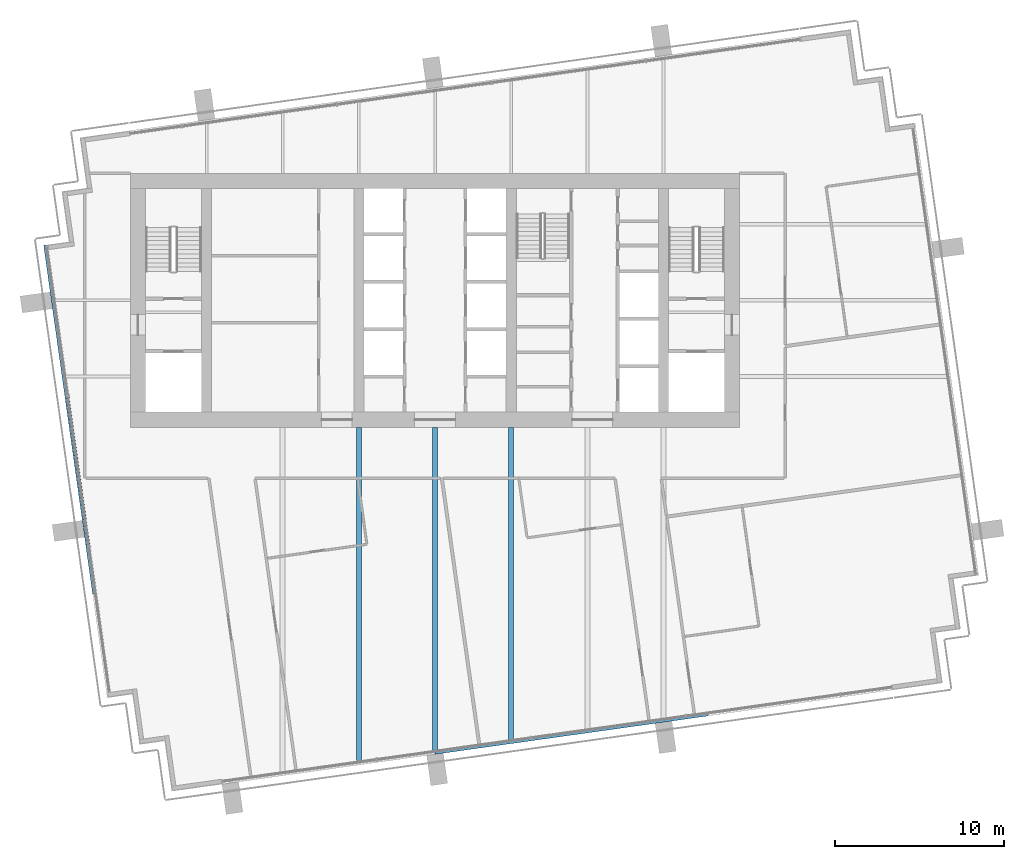
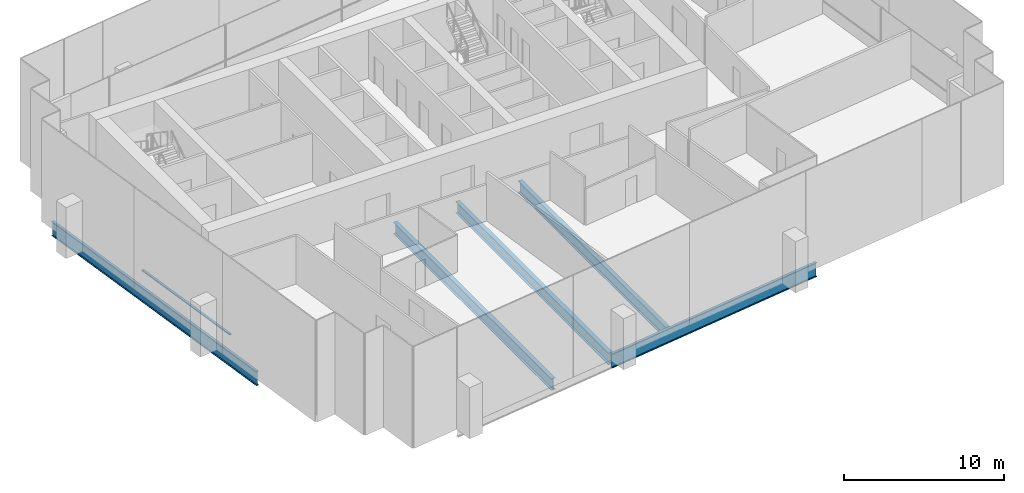
# One storey, part 3 of 17: 5 beams, 1 member, 1 element without a shape of its own.
"""IFC4 building model written with IfcOpenShell, lengths in metres."""

from ifc_helpers import new_model, si_unit, direction, frame, origin, origin_2d, place, context, subcontext, project, spatial, rectangle, i_section, extrude, material, layer, layer_set, material_profile, profile_set, type_object, element, aggregate, save


model = new_model("IFC4")

# Units and contexts
model_context = context("Model", 3, precision=1e-05, world=origin(), true_north=direction((0.0, 1.0)))
body_context = subcontext(model_context, "Body", "Model", "MODEL_VIEW")
ifc_project = project(units=[si_unit("LENGTHUNIT", "METRE"), si_unit("AREAUNIT", "SQUARE_METRE"), si_unit("VOLUMEUNIT", "CUBIC_METRE"), si_unit("PLANEANGLEUNIT", "RADIAN"), si_unit("MASSUNIT", "GRAM", prefix="KILO")], contexts=[model_context])

# Site, building, storey
site_placement = place(None, origin())
site = spatial("IfcSite", under=ifc_project, at=site_placement, CompositionType="ELEMENT")
building_placement = place(site_placement, origin())
building = spatial("IfcBuilding", under=site, at=building_placement, Name="Rattan Terrace Tower", CompositionType="ELEMENT")
storey_placement = place(building_placement, frame((0.0, 0.0, 236.89990234375)))
storey = spatial("IfcBuildingStorey", under=building, at=storey_placement, Name="L54", CompositionType="ELEMENT", Elevation=236.89990234375)

# Beams
ifc_material_1 = material(Name="Steel S460", Category="steel")
ifc_material_profile_1 = material_profile(ifc_material_1, i_section(OverallWidth=0.179931640625, OverallDepth=1.10009765625, WebThickness=0.01611328125, FlangeThickness=0.050048828125, at=origin_2d()), Name="PG 1100x180-16-50")
ifc_profile_set_1 = profile_set([ifc_material_profile_1], Name="Steel S460")
beam_type_1 = type_object("IfcBeamType", Name="Frame edge girder PG 1100x180-16-50", PredefinedType="SPANDREL", material=ifc_profile_set_1)
beam_1_placement = place(storey_placement, frame((16.0859375, -24.472900390625, -0.75), z_axis=(-0.990262693422, -0.139211342989, 0.0), x_axis=(0.139211342989, -0.990262693422, 0.0)))
element("IfcBeam", 1, at=beam_1_placement, inside=storey, type_object=beam_type_1, Name="gdr-L54-002", PredefinedType="SPANDREL", context=body_context, shape_type="SweptSolid", body=[
    extrude(i_section(OverallWidth=0.179931640625, OverallDepth=1.10009765625, WebThickness=0.01611328125, FlangeThickness=0.050048828125, at=origin_2d()), origin(), (0.0, 0.0, 1.0), 16.257080078125),
])
beam_2_placement = place(storey_placement, frame((-20.14111328125, -17.347900390625, -0.75), z_axis=(-0.139141602152, 0.9902724951, 0.0), x_axis=(-0.9902724951, -0.139141602152, 0.0)))
element("IfcBeam", 2, at=beam_2_placement, inside=storey, type_object=beam_type_1, Name="gdr-L54-003", PredefinedType="SPANDREL", context=body_context, shape_type="SweptSolid", body=[
    extrude(i_section(OverallWidth=0.179931640625, OverallDepth=1.10009765625, WebThickness=0.01611328125, FlangeThickness=0.050048828125, at=origin_2d()), origin(), (0.0, 0.0, 1.0), 20.813232421875),
])
ifc_material_2 = material(Name="Steel S355", Category="steel")
ifc_material_profile_2 = material_profile(ifc_material_2, i_section(OverallWidth=0.300048828125, OverallDepth=0.89990234375, WebThickness=0.0185546875, FlangeThickness=0.034912109375, FilletRadius=0.030029296875, at=origin_2d()), Name="HE 900 B")
ifc_profile_set_2 = profile_set([ifc_material_profile_2], Name="Steel S355")
beam_type_2 = type_object("IfcBeamType", Name="Frame floor beam HE 900 B", PredefinedType="JOIST", material=ifc_profile_set_2)
beam_3_placement = place(storey_placement, frame((4.5, -25.989990234375, -0.64990234375), z_axis=(0.0, 1.0, 0.0), x_axis=(-1.0, 0.0, 0.0)))
element("IfcBeam", 3, at=beam_3_placement, inside=storey, type_object=beam_type_2, Name="bm-L54-006", PredefinedType="JOIST", context=body_context, shape_type="SweptSolid", body=[
    extrude(i_section(OverallWidth=0.300048828125, OverallDepth=0.89990234375, WebThickness=0.0185546875, FlangeThickness=0.034912109375, FilletRadius=0.030029296875, at=origin_2d()), origin(), (0.0, 0.0, 1.0), 18.489990234375),
])
ifc_material_3 = material(Name="Steel S460", Category="steel")
ifc_material_profile_3 = material_profile(ifc_material_3, i_section(OverallWidth=0.300048828125, OverallDepth=0.89990234375, WebThickness=0.013916015625, FlangeThickness=0.035888671875, at=origin_2d()), Name="PG 900x300-14-36")
ifc_profile_set_3 = profile_set([ifc_material_profile_3], Name="Steel S460")
beam_type_3 = type_object("IfcBeamType", Name="Frame floor beam PG 900x300-14-36", PredefinedType="JOIST", material=ifc_profile_set_3)
beam_4_placement = place(storey_placement, frame((-4.5, -27.2548828125, -0.64990234375), z_axis=(0.0, 1.0, 0.0), x_axis=(-1.0, 0.0, 0.0)))
element("IfcBeam", 4, at=beam_4_placement, inside=storey, type_object=beam_type_3, Name="bm-L54-004", PredefinedType="JOIST", context=body_context, shape_type="SweptSolid", body=[
    extrude(i_section(OverallWidth=0.300048828125, OverallDepth=0.89990234375, WebThickness=0.013916015625, FlangeThickness=0.035888671875, at=origin_2d()), origin(), (0.0, 0.0, 1.0), 19.7548828125),
])
beam_5_placement = place(storey_placement, frame((0.0, -26.6220703125, -0.64990234375), z_axis=(0.0, 1.0, 0.0), x_axis=(-1.0, 0.0, 0.0)))
element("IfcBeam", 5, at=beam_5_placement, inside=storey, type_object=beam_type_3, Name="bm-L54-005", PredefinedType="JOIST", context=body_context, shape_type="SweptSolid", body=[
    extrude(i_section(OverallWidth=0.300048828125, OverallDepth=0.89990234375, WebThickness=0.013916015625, FlangeThickness=0.035888671875, at=origin_2d()), origin(), (0.0, 0.0, 1.0), 19.1220703125),
])

# Curtain wall, member
ifc_material_4 = material(Name="Aluminium and laminated glass", Category="aluminium")
ifc_layer = layer(ifc_material_4, 0.199951171875)
ifc_layer_set = layer_set([ifc_layer], Name="High-Zone Unitised Curtain Wall")
curtain_wall_type = type_object("IfcCurtainWallType", Name="High-Zone Unitised Curtain Wall", PredefinedType="NOTDEFINED", material=ifc_layer_set)
curtain_wall_placement = place(storey_placement, origin())
curtain_wall = element("IfcCurtainWall", 6, at=curtain_wall_placement, inside=storey, type_object=curtain_wall_type, Name="High-zone curtain wall L54-3", PredefinedType="NOTDEFINED")
ifc_material_5 = material(Name="Aluminium", Category="aluminium")
ifc_material_profile_4 = material_profile(ifc_material_5, rectangle(XDim=0.159912109375, YDim=0.070068359375, at=origin_2d()), Name="Aluminium 160x70")
ifc_profile_set_4 = profile_set([ifc_material_profile_4], Name="Aluminium")
member_type = type_object("IfcMemberType", Name="High-Zone CW Transom 160x70", PredefinedType="USERDEFINED", material=ifc_profile_set_4)
member_placement = place(storey_placement, frame((-21.7001953125, -5.67333984375, 1.0), z_axis=(0.139185713085, -0.990266296141, 0.0), x_axis=(0.990266296141, 0.139185713085, 0.0)))
member = element("IfcMember", 7, at=member_placement, type_object=member_type, Name="Transom cwl-L54-003.2", ObjectType="TRANSOM", PredefinedType="USERDEFINED", context=body_context, shape_type="SweptSolid", body=[
    extrude(rectangle(XDim=0.159912109375, YDim=0.070068359375, at=origin_2d()), origin(), (0.0, 0.0, 1.0), 8.929931640625),
])
aggregate(curtain_wall, [member])

save(model, "model.ifc")
